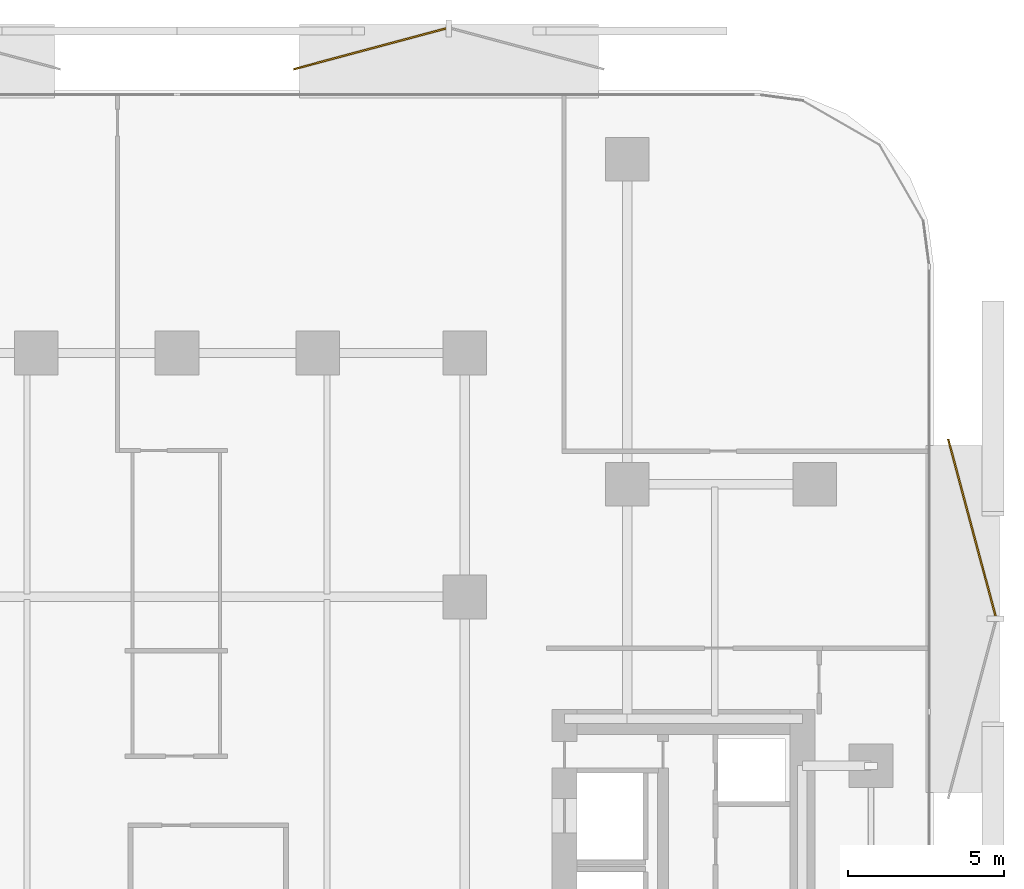
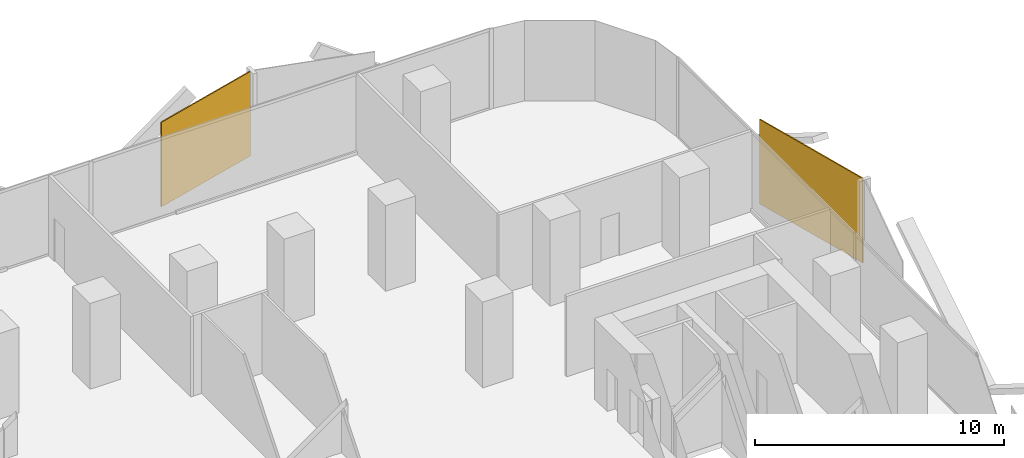
# One storey, part 14 of 14: 2 coverings.
"""IFC4 building model written with IfcOpenShell, lengths in metres."""

from ifc_helpers import new_model, si_unit, direction, frame, origin, origin_2d, place, context, subcontext, project, spatial, rectangle, extrude, material, layer, layer_set, type_object, element, save


model = new_model("IFC4")

# Units and contexts
model_context = context("Model", 3, precision=1e-05, world=origin(), true_north=direction((0.0, 1.0)))
body_context = subcontext(model_context, "Body", "Model", "MODEL_VIEW")
ifc_project = project(units=[si_unit("LENGTHUNIT", "METRE"), si_unit("AREAUNIT", "SQUARE_METRE"), si_unit("VOLUMEUNIT", "CUBIC_METRE"), si_unit("PLANEANGLEUNIT", "RADIAN"), si_unit("MASSUNIT", "GRAM", prefix="KILO")], contexts=[model_context])

# Site, building, storey
site_placement = place(None, origin())
site = spatial("IfcSite", under=ifc_project, at=site_placement, CompositionType="ELEMENT")
building_placement = place(site_placement, origin())
building = spatial("IfcBuilding", under=site, at=building_placement, Name="Khairoan Windgate Tower", CompositionType="ELEMENT")
storey_placement = place(building_placement, frame((0.0, 0.0, 63.800048828125)))
storey = spatial("IfcBuildingStorey", under=building, at=storey_placement, Name="L15", CompositionType="ELEMENT", Elevation=63.800048828125)

# Coverings
ifc_material = material(Name="Anodised Bronze Aluminium 6063-T6", Category="aluminium")
ifc_layer = layer(ifc_material, 0.054931640625, Name="Anodised Bronze Aluminium 6063-T6")
ifc_layer_set = layer_set([ifc_layer], Name="Anodised Bronze Aluminium 6063-T6")
covering_type = type_object("IfcCoveringType", Name="Perforated Bronze-Ceramic Folded Solar Screen Cladding BSC-1", PredefinedType="CLADDING", material=ifc_layer_set)
covering_1_placement = place(storey_placement, frame((6.169921875, 28.327392578125, -0.10009765625), z_axis=(0.0, 0.0, 1.0), x_axis=(0.965925826289, 0.258819045103, 0.0)))
element("IfcCovering", 1, at=covering_1_placement, inside=storey, type_object=covering_type, Name="L15 Folded Bronze Solar Screen Facet 78L", PredefinedType="CLADDING", context=body_context, shape_type="SweptSolid", body=[
    extrude(rectangle(XDim=5.04296875, YDim=0.054931640625, at=origin_2d()), origin(), (0.0, 0.0, 1.0), 4.139892578125),
])
covering_2_placement = place(storey_placement, frame((25.42236328125, 13.01318359375, -0.10009765625), z_axis=(0.0, 0.0, 1.0), x_axis=(0.258819045103, -0.965925826289, 0.0)))
element("IfcCovering", 2, at=covering_2_placement, inside=storey, type_object=covering_type, Name="L15 Folded Bronze Solar Screen Facet 79L", PredefinedType="CLADDING", context=body_context, shape_type="SweptSolid", body=[
    extrude(rectangle(XDim=5.85498046875, YDim=0.054931640625, at=origin_2d()), origin(), (0.0, 0.0, 1.0), 4.139892578125),
])

save(model, "model.ifc")
